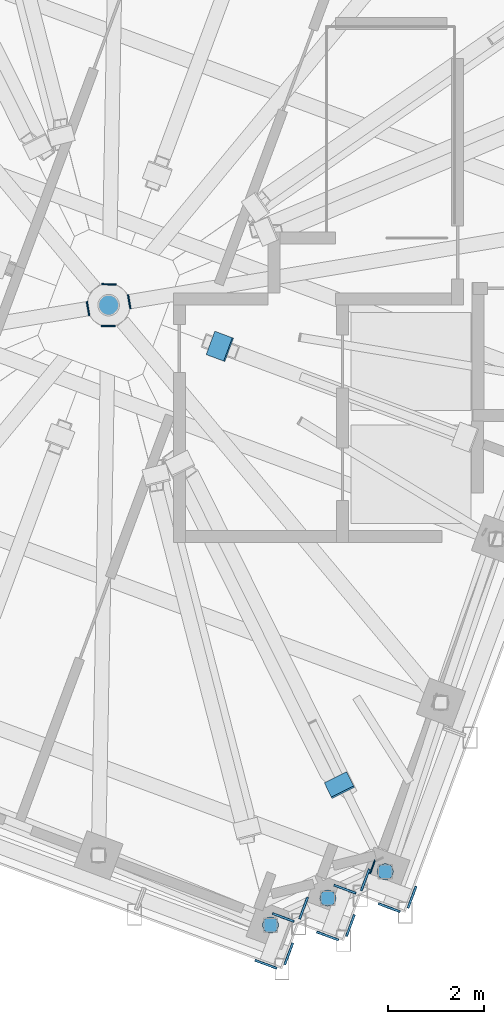
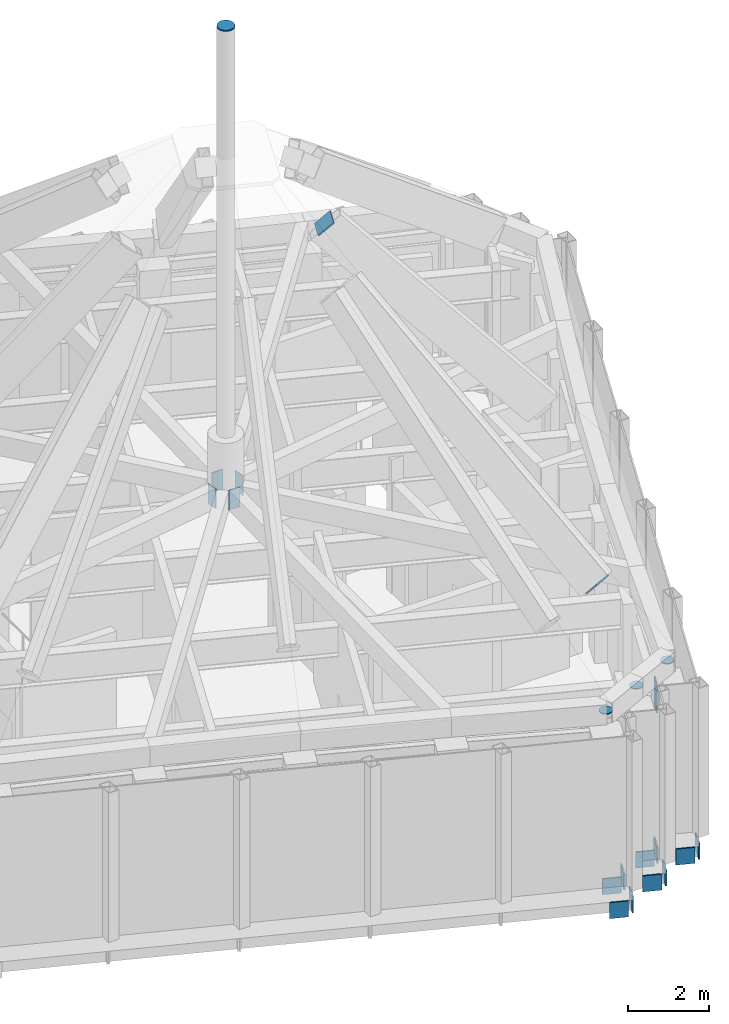
# One storey, part 9 of 14: 21 discrete accessories, 8 elements without a shape of their own.
"""IFC4 building model written with IfcOpenShell, lengths in metres."""

from ifc_helpers import new_model, si_unit, direction, frame, origin, place, context, subcontext, project, spatial, polyline, outline, extrude, material, layer, layer_set, type_object, element, aggregate, save


model = new_model("IFC4")

# Units and contexts
model_context = context("Model", 3, precision=1e-05, world=origin(), true_north=direction((0.0, 1.0)))
body_context = subcontext(model_context, "Body", "Model", "MODEL_VIEW")
ifc_project = project(units=[si_unit("LENGTHUNIT", "METRE"), si_unit("AREAUNIT", "SQUARE_METRE"), si_unit("VOLUMEUNIT", "CUBIC_METRE"), si_unit("PLANEANGLEUNIT", "RADIAN"), si_unit("MASSUNIT", "GRAM", prefix="KILO")], contexts=[model_context])

# Site, building, storey
site_placement = place(None, origin())
site = spatial("IfcSite", under=ifc_project, at=site_placement, CompositionType="ELEMENT")
building_placement = place(site_placement, origin())
building = spatial("IfcBuilding", under=site, at=building_placement, Name="Cantera Rosa Tower", CompositionType="ELEMENT")
storey_placement = place(building_placement, frame((0.0, 0.0, 374.199951171875)))
storey = spatial("IfcBuildingStorey", under=building, at=storey_placement, Name="L84", CompositionType="ELEMENT", Elevation=374.199951171875)

# Discrete accessory
ifc_material_1 = material(Name="Steel S355J2 (EN 10025-2)", Category="steel")
ifc_layer = layer(ifc_material_1, 0.030029296875)
ifc_layer_set = layer_set([ifc_layer], Name="NODE PLATE 30")
discrete_accessory_type = type_object("IfcDiscreteAccessoryType", Name="NODE PLATE 30", PredefinedType="ANCHORPLATE", material=ifc_layer_set)
discrete_accessory_1_placement = place(storey_placement, frame((0.0, 0.0, 3.345947265625)))
element("IfcDiscreteAccessory", 1, at=discrete_accessory_1_placement, inside=storey, type_object=discrete_accessory_type, Name="END PLATE RG-Z6-01A", PredefinedType="ANCHORPLATE", context=body_context, shape_type="SweptSolid", body=[
    extrude(outline(polyline([(5.43408203125, -11.84814453125), (5.462158203125, -11.8583984375), (5.568115234375, -11.572509765625), (5.5400390625, -11.56201171875), (5.43408203125, -11.84814453125)])), origin(), (0.0, 0.0, 1.0), 0.904052734375),
])

# Curtain wall, discrete accessory
ifc_material_2 = material(Name="Aluminium frame with clear glass", Category="aluminium")
curtain_wall_type = type_object("IfcCurtainWallType", Name="CW4 CROWN GLAZING", PredefinedType="NOTDEFINED", material=ifc_material_2)
curtain_wall_1_placement = place(storey_placement, origin())
curtain_wall_1 = element("IfcCurtainWall", 2, at=curtain_wall_1_placement, inside=storey, type_object=curtain_wall_type, Name="CW4 L84-23", PredefinedType="NOTDEFINED")
discrete_accessory_2_placement = place(storey_placement, frame((3.857421875, -13.304443359375, -0.43505859375), z_axis=(0.93751537431, -0.347943850259, 0.0), x_axis=(-0.347943850259, -0.93751537431, 0.0)))
discrete_accessory_2 = element("IfcDiscreteAccessory", 3, at=discrete_accessory_2_placement, type_object=discrete_accessory_type, Name="END PLATE TE1", PredefinedType="ANCHORPLATE", context=body_context, shape_type="SweptSolid", body=[
    extrude(outline(polyline([(0.0, 0.0), (0.47994004600337425, 0.0), (0.47994004600337425, 0.47998046875), (0.0, 0.47998046875), (0.0, 0.0)])), origin(), (0.0, 0.0, -1.0), 0.0400390625),
])
aggregate(curtain_wall_1, [discrete_accessory_2])

# Curtain wall, discrete accessories
curtain_wall_2_placement = place(storey_placement, origin())
curtain_wall_2 = element("IfcCurtainWall", 4, at=curtain_wall_2_placement, inside=storey, type_object=curtain_wall_type, Name="CW4 L84-24", PredefinedType="NOTDEFINED")
discrete_accessory_3_placement = place(storey_placement, frame((3.497802734375, -13.843017578125, -0.43505859375), z_axis=(-0.347330918501, -0.937742626232, 0.0), x_axis=(-0.937742626232, 0.347330918501, 0.0)))
discrete_accessory_3 = element("IfcDiscreteAccessory", 5, at=discrete_accessory_3_placement, type_object=discrete_accessory_type, Name="END PLATE TE0", PredefinedType="ANCHORPLATE", context=body_context, shape_type="SweptSolid", body=[
    extrude(outline(polyline([(0.0, 0.0), (0.4800840869406107, 0.0), (0.4800840869406107, 0.47998046875), (0.0, 0.47998046875), (0.0, 0.0)])), origin(), (0.0, 0.0, -1.0), 0.0400390625),
])
discrete_accessory_4_placement = place(storey_placement, frame((3.4228515625, -12.66357421875, -0.43505859375), z_axis=(0.347330918501, 0.937742626232, 0.0), x_axis=(0.937742626232, -0.347330918501, 0.0)))
discrete_accessory_4 = element("IfcDiscreteAccessory", 6, at=discrete_accessory_4_placement, type_object=discrete_accessory_type, Name="END PLATE TE1", PredefinedType="ANCHORPLATE", context=body_context, shape_type="SweptSolid", body=[
    extrude(outline(polyline([(0.0, 0.0), (0.4800840869406107, 0.0), (0.4800840869406107, 0.47998046875), (0.0, 0.47998046875), (0.0, 0.0)])), origin(), (0.0, 0.0, -1.0), 0.0400390625),
])
aggregate(curtain_wall_2, [discrete_accessory_3, discrete_accessory_4])

curtain_wall_3_placement = place(storey_placement, origin())
curtain_wall_3 = element("IfcCurtainWall", 7, at=curtain_wall_3_placement, inside=storey, type_object=curtain_wall_type, Name="CW4 L84-25", PredefinedType="NOTDEFINED")
discrete_accessory_5_placement = place(storey_placement, frame((3.962890625, -12.7890625, -0.43505859375), z_axis=(-0.937576914778, 0.347777987911, 0.0), x_axis=(0.347777987911, 0.937576914778, 0.0)))
discrete_accessory_5 = element("IfcDiscreteAccessory", 8, at=discrete_accessory_5_placement, type_object=discrete_accessory_type, Name="END PLATE TE0", PredefinedType="ANCHORPLATE", context=body_context, shape_type="SweptSolid", body=[
    extrude(outline(polyline([(0.0, 0.0), (0.4801689391068604, 0.0), (0.4801689391068604, 0.47998046875), (0.0, 0.47998046875), (0.0, 0.0)])), origin(), (0.0, 0.0, -1.0), 0.0400390625),
])
discrete_accessory_6_placement = place(storey_placement, frame((5.142578125, -12.714111328125, -0.43505859375), z_axis=(0.937742626232, -0.347330918501, 0.0), x_axis=(-0.347330918501, -0.937742626232, 0.0)))
discrete_accessory_6 = element("IfcDiscreteAccessory", 9, at=discrete_accessory_6_placement, type_object=discrete_accessory_type, Name="END PLATE TE1", PredefinedType="ANCHORPLATE", context=body_context, shape_type="SweptSolid", body=[
    extrude(outline(polyline([(0.0, 0.0), (0.4800840869406107, 0.0), (0.4800840869406107, 0.47998046875), (0.0, 0.47998046875), (0.0, 0.0)])), origin(), (0.0, 0.0, -1.0), 0.0400390625),
])
aggregate(curtain_wall_3, [discrete_accessory_5, discrete_accessory_6])

curtain_wall_4_placement = place(storey_placement, origin())
curtain_wall_4 = element("IfcCurtainWall", 10, at=curtain_wall_4_placement, inside=storey, type_object=curtain_wall_type, Name="CW4 L84-26", PredefinedType="NOTDEFINED")
discrete_accessory_7_placement = place(storey_placement, frame((4.782958984375, -13.252685546875, -0.43505859375), z_axis=(-0.347330918501, -0.937742626232, 0.0), x_axis=(-0.937742626232, 0.347330918501, 0.0)))
discrete_accessory_7 = element("IfcDiscreteAccessory", 11, at=discrete_accessory_7_placement, type_object=discrete_accessory_type, Name="END PLATE TE0", PredefinedType="ANCHORPLATE", context=body_context, shape_type="SweptSolid", body=[
    extrude(outline(polyline([(0.0, 0.0), (0.4800840869406107, 0.0), (0.4800840869406107, 0.47998046875), (0.0, 0.47998046875), (0.0, 0.0)])), origin(), (0.0, 0.0, -1.0), 0.0400390625),
])
discrete_accessory_8_placement = place(storey_placement, frame((4.7080078125, -12.0732421875, -0.43505859375), z_axis=(0.347330918501, 0.937742626232, 0.0), x_axis=(0.937742626232, -0.347330918501, 0.0)))
discrete_accessory_8 = element("IfcDiscreteAccessory", 12, at=discrete_accessory_8_placement, type_object=discrete_accessory_type, Name="END PLATE TE1", PredefinedType="ANCHORPLATE", context=body_context, shape_type="SweptSolid", body=[
    extrude(outline(polyline([(0.0, 0.0), (0.4800840869406107, 0.0), (0.4800840869406107, 0.47998046875), (0.0, 0.47998046875), (0.0, 0.0)])), origin(), (0.0, 0.0, -1.0), 0.0400390625),
])
aggregate(curtain_wall_4, [discrete_accessory_7, discrete_accessory_8])

curtain_wall_5_placement = place(storey_placement, origin())
curtain_wall_5 = element("IfcCurtainWall", 13, at=curtain_wall_5_placement, inside=storey, type_object=curtain_wall_type, Name="CW4 L84-27", PredefinedType="NOTDEFINED")
discrete_accessory_9_placement = place(storey_placement, frame((5.248291015625, -12.19873046875, -0.43505859375), z_axis=(-0.937681233018, 0.347496626235, 0.0), x_axis=(0.347496626235, 0.937681233018, 0.0)))
discrete_accessory_9 = element("IfcDiscreteAccessory", 14, at=discrete_accessory_9_placement, type_object=discrete_accessory_type, Name="END PLATE TE0", PredefinedType="ANCHORPLATE", context=body_context, shape_type="SweptSolid", body=[
    extrude(outline(polyline([(0.0, 0.0), (0.4798551533622547, 0.0), (0.4798551533622547, 0.47998046875), (0.0, 0.47998046875), (0.0, 0.0)])), origin(), (0.0, 0.0, -1.0), 0.0400390625),
])
discrete_accessory_10_placement = place(storey_placement, frame((6.427734375, -12.1240234375, -0.43505859375), z_axis=(0.937681233018, -0.347496626235, 0.0), x_axis=(-0.347496626235, -0.937681233018, 0.0)))
discrete_accessory_10 = element("IfcDiscreteAccessory", 15, at=discrete_accessory_10_placement, type_object=discrete_accessory_type, Name="END PLATE TE1", PredefinedType="ANCHORPLATE", context=body_context, shape_type="SweptSolid", body=[
    extrude(outline(polyline([(0.0, 0.0), (0.4798551533622547, 0.0), (0.4798551533622547, 0.47998046875), (0.0, 0.47998046875), (0.0, 0.0)])), origin(), (0.0, 0.0, -1.0), 0.0400390625),
])
aggregate(curtain_wall_5, [discrete_accessory_9, discrete_accessory_10])

# Curtain wall, discrete accessory
curtain_wall_6_placement = place(storey_placement, origin())
curtain_wall_6 = element("IfcCurtainWall", 16, at=curtain_wall_6_placement, inside=storey, type_object=curtain_wall_type, Name="CW4 L84-28", PredefinedType="NOTDEFINED")
discrete_accessory_11_placement = place(storey_placement, frame((6.068115234375, -12.66259765625, -0.43505859375), z_axis=(-0.347330918501, -0.937742626232, 0.0), x_axis=(-0.937742626232, 0.347330918501, 0.0)))
discrete_accessory_11 = element("IfcDiscreteAccessory", 17, at=discrete_accessory_11_placement, type_object=discrete_accessory_type, Name="END PLATE TE0", PredefinedType="ANCHORPLATE", context=body_context, shape_type="SweptSolid", body=[
    extrude(outline(polyline([(0.0, 0.0), (0.4800840869406107, 0.0), (0.4800840869406107, 0.47998046875), (0.0, 0.47998046875), (0.0, 0.0)])), origin(), (0.0, 0.0, -1.0), 0.0400390625),
])
aggregate(curtain_wall_6, [discrete_accessory_11])

curtain_wall_7_placement = place(storey_placement, origin())
curtain_wall_7 = element("IfcCurtainWall", 18, at=curtain_wall_7_placement, inside=storey, type_object=curtain_wall_type, Name="CW4 L84-04", PredefinedType="NOTDEFINED")
discrete_accessory_12_placement = place(storey_placement, frame((5.109375, -10.02392578125, 6.533935546875), z_axis=(-0.342725585837, 0.691428943521, 0.635975776956), x_axis=(-0.895989773487, -0.444074681996, -5.1152586e-05)))
discrete_accessory_12 = element("IfcDiscreteAccessory", 19, at=discrete_accessory_12_placement, type_object=discrete_accessory_type, Name="END PLATE RE0", PredefinedType="ANCHORPLATE", context=body_context, shape_type="SweptSolid", body=[
    extrude(outline(polyline([(0.0, 0.0), (0.5201511539929677, 0.0), (0.5200210965644722, -0.52006725034877), (8.869007479706412e-05, -0.5201361920901104), (0.0, 0.0)])), origin(), (0.0, 0.0, -1.0), 0.0400390625),
])
aggregate(curtain_wall_7, [discrete_accessory_12])

curtain_wall_8_placement = place(storey_placement, origin())
curtain_wall_8 = element("IfcCurtainWall", 20, at=curtain_wall_8_placement, inside=storey, type_object=curtain_wall_type, Name="CW4 L84-05", PredefinedType="NOTDEFINED")
discrete_accessory_13_placement = place(storey_placement, frame((2.3984375, -1.166015625, 12.72265625), z_axis=(-0.620766463266, 0.229971055228, 0.749508046549), x_axis=(0.347433765157, 0.937704525526, 4.0467062e-05)))
discrete_accessory_13 = element("IfcDiscreteAccessory", 21, at=discrete_accessory_13_placement, type_object=discrete_accessory_type, Name="END PLATE RE1", PredefinedType="ANCHORPLATE", context=body_context, shape_type="SweptSolid", body=[
    extrude(outline(polyline([(0.0, 0.0), (0.5199455380104648, -2.7755575615628914e-17), (0.5200091626855605, 0.5200329369685875), (-0.00016530709383148342, 0.5199693555420195), (0.0, 0.0)])), origin(), (0.0, 0.0, -1.0), 0.0400390625),
])
aggregate(curtain_wall_8, [discrete_accessory_13])

# Discrete accessories
discrete_accessory_14_placement = place(storey_placement, frame((0.0, 0.0, 4.78515625)))
element("IfcDiscreteAccessory", 22, at=discrete_accessory_14_placement, inside=storey, type_object=discrete_accessory_type, Name="NODE PLATE 08", PredefinedType="ANCHORPLATE", context=body_context, shape_type="SweptSolid", body=[
    extrude(outline(polyline([(3.544921875, -12.924560546875), (3.531982421875, -12.859375), (3.4951171875, -12.804443359375), (3.43994140625, -12.767578125), (3.374755859375, -12.754638671875), (3.309814453125, -12.767578125), (3.254638671875, -12.804443359375), (3.2177734375, -12.859375), (3.204833984375, -12.924560546875), (3.2177734375, -12.989501953125), (3.254638671875, -13.044677734375), (3.309814453125, -13.08154296875), (3.374755859375, -13.094482421875), (3.43994140625, -13.08154296875), (3.4951171875, -13.044677734375), (3.531982421875, -12.989501953125), (3.544921875, -12.924560546875)])), origin(), (0.0, 0.0, 1.0), 0.02978515625),
])
discrete_accessory_15_placement = place(storey_placement, frame((0.0, 0.0, 4.78515625)))
element("IfcDiscreteAccessory", 23, at=discrete_accessory_15_placement, inside=storey, type_object=discrete_accessory_type, Name="NODE PLATE 09", PredefinedType="ANCHORPLATE", context=body_context, shape_type="SweptSolid", body=[
    extrude(outline(polyline([(4.740478515625, -12.362548828125), (4.7275390625, -12.29736328125), (4.690673828125, -12.2421875), (4.635498046875, -12.205322265625), (4.570556640625, -12.1923828125), (4.505615234375, -12.205322265625), (4.450439453125, -12.2421875), (4.41357421875, -12.29736328125), (4.400634765625, -12.362548828125), (4.41357421875, -12.427490234375), (4.450439453125, -12.482666015625), (4.505615234375, -12.51953125), (4.570556640625, -12.532470703125), (4.635498046875, -12.51953125), (4.690673828125, -12.482666015625), (4.7275390625, -12.427490234375), (4.740478515625, -12.362548828125)])), origin(), (0.0, 0.0, 1.0), 0.02978515625),
])
discrete_accessory_16_placement = place(storey_placement, frame((0.0, 0.0, 4.78515625)))
element("IfcDiscreteAccessory", 24, at=discrete_accessory_16_placement, inside=storey, type_object=discrete_accessory_type, Name="NODE PLATE 10", PredefinedType="ANCHORPLATE", context=body_context, shape_type="SweptSolid", body=[
    extrude(outline(polyline([(5.938232421875, -11.809814453125), (5.92529296875, -11.74462890625), (5.888427734375, -11.689453125), (5.833251953125, -11.652587890625), (5.768310546875, -11.6396484375), (5.703125, -11.652587890625), (5.64794921875, -11.689453125), (5.611083984375, -11.74462890625), (5.59814453125, -11.809814453125), (5.611083984375, -11.874755859375), (5.64794921875, -11.929931640625), (5.703125, -11.966796875), (5.768310546875, -11.979736328125), (5.833251953125, -11.966796875), (5.888427734375, -11.929931640625), (5.92529296875, -11.874755859375), (5.938232421875, -11.809814453125)])), origin(), (0.0, 0.0, 1.0), 0.02978515625),
])
discrete_accessory_17_placement = place(storey_placement, frame((0.0, 0.0, 18.760009765625)))
element("IfcDiscreteAccessory", 25, at=discrete_accessory_17_placement, inside=storey, type_object=discrete_accessory_type, Name="END PLATE SPIRE TIP", PredefinedType="ANCHORPLATE", context=body_context, shape_type="SweptSolid", body=[
    extrude(outline(polyline([(0.22509765625, 0.0), (0.207763671875, 0.086181640625), (0.1591796875, 0.1591796875), (0.086181640625, 0.207763671875), (0.0, 0.22509765625), (-0.086181640625, 0.207763671875), (-0.1591796875, 0.1591796875), (-0.207763671875, 0.086181640625), (-0.22509765625, 0.0), (-0.207763671875, -0.086181640625), (-0.1591796875, -0.1591796875), (-0.086181640625, -0.207763671875), (0.0, -0.22509765625), (0.086181640625, -0.207763671875), (0.1591796875, -0.1591796875), (0.207763671875, -0.086181640625), (0.22509765625, 0.0)])), origin(), (0.0, 0.0, 1.0), 0.0400390625),
])
discrete_accessory_18_placement = place(storey_placement, frame((0.0, 0.0, 4.5)))
element("IfcDiscreteAccessory", 26, at=discrete_accessory_18_placement, inside=storey, type_object=discrete_accessory_type, Name="END PLATE CROWN TIE 01A B", PredefinedType="ANCHORPLATE", context=body_context, shape_type="SweptSolid", body=[
    extrude(outline(polyline([(0.468505859375, -0.07421875), (0.43896484375, -0.0791015625), (0.3896484375, 0.216796875), (0.419189453125, 0.2216796875), (0.468505859375, -0.07421875)])), origin(), (0.0, 0.0, 1.0), 0.60009765625),
])
discrete_accessory_19_placement = place(storey_placement, frame((0.0, 0.0, 4.5)))
element("IfcDiscreteAccessory", 27, at=discrete_accessory_19_placement, inside=storey, type_object=discrete_accessory_type, Name="END PLATE CROWN TIE 01B B", PredefinedType="ANCHORPLATE", context=body_context, shape_type="SweptSolid", body=[
    extrude(outline(polyline([(-0.468505859375, 0.07421875), (-0.43896484375, 0.0791015625), (-0.3896484375, -0.216796875), (-0.419189453125, -0.2216796875), (-0.468505859375, 0.07421875)])), origin(), (0.0, 0.0, 1.0), 0.60009765625),
])
discrete_accessory_20_placement = place(storey_placement, frame((0.0, 0.0, 4.5)))
element("IfcDiscreteAccessory", 28, at=discrete_accessory_20_placement, inside=storey, type_object=discrete_accessory_type, Name="END PLATE CROWN TIE 03A B", PredefinedType="ANCHORPLATE", context=body_context, shape_type="SweptSolid", body=[
    extrude(outline(polyline([(0.158203125, 0.447265625), (0.15771484375, 0.417236328125), (-0.14208984375, 0.422607421875), (-0.1416015625, 0.45263671875), (0.158203125, 0.447265625)])), origin(), (0.0, 0.0, 1.0), 0.60009765625),
])
discrete_accessory_21_placement = place(storey_placement, frame((0.0, 0.0, 4.5)))
element("IfcDiscreteAccessory", 29, at=discrete_accessory_21_placement, inside=storey, type_object=discrete_accessory_type, Name="END PLATE CROWN TIE 03B B", PredefinedType="ANCHORPLATE", context=body_context, shape_type="SweptSolid", body=[
    extrude(outline(polyline([(-0.158203125, -0.447265625), (-0.15771484375, -0.417236328125), (0.14208984375, -0.422607421875), (0.1416015625, -0.45263671875), (-0.158203125, -0.447265625)])), origin(), (0.0, 0.0, 1.0), 0.60009765625),
])

save(model, "model.ifc")
